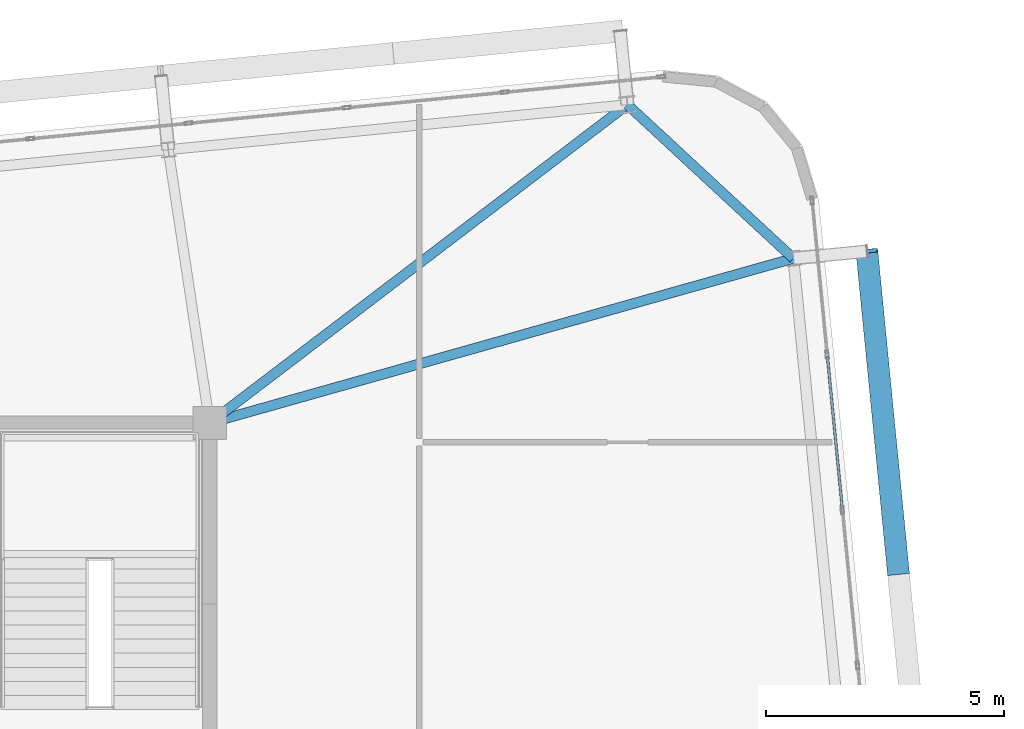
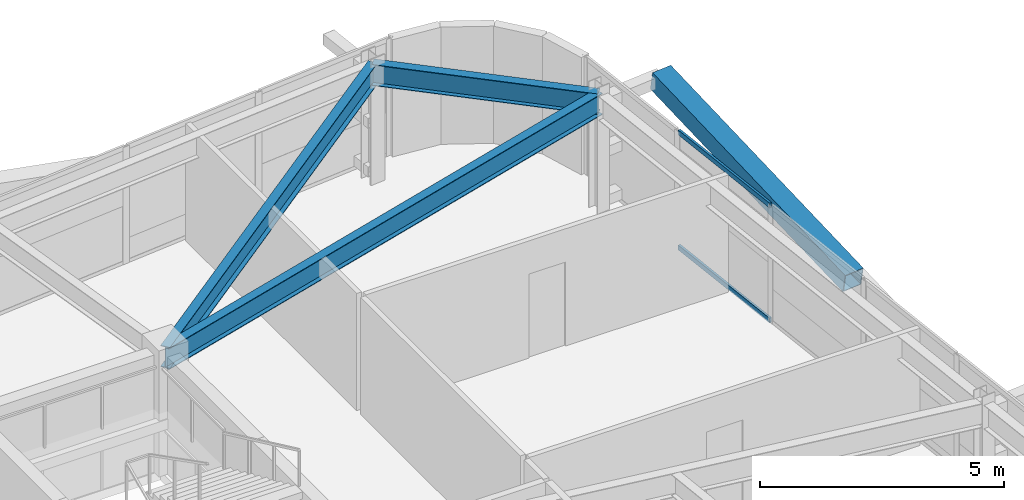
# One storey, part 34 of 52: 3 beams, 3 members, 1 element without a shape of its own.
"""IFC4 building model written with IfcOpenShell, lengths in metres."""

from ifc_helpers import new_model, si_unit, direction, frame, origin, origin_2d, place, context, subcontext, project, spatial, hollow_rectangle, i_section, extrude, source, transform, mapped, material, layer, layer_set, material_profile, profile_set, type_object, element, aggregate, save


model = new_model("IFC4")

# Units and contexts
model_context = context("Model", 3, precision=1e-05, world=origin(), true_north=direction((0.0, 1.0)))
body_context = subcontext(model_context, "Body", "Model", "MODEL_VIEW")
ifc_project = project(units=[si_unit("LENGTHUNIT", "METRE"), si_unit("AREAUNIT", "SQUARE_METRE"), si_unit("VOLUMEUNIT", "CUBIC_METRE"), si_unit("PLANEANGLEUNIT", "RADIAN"), si_unit("MASSUNIT", "GRAM", prefix="KILO")], contexts=[model_context])

# Site, building, storey
site_placement = place(None, origin())
site = spatial("IfcSite", under=ifc_project, at=site_placement, CompositionType="ELEMENT")
building_placement = place(site_placement, origin())
building = spatial("IfcBuilding", under=site, at=building_placement, Name="Taldren Reach Tower", CompositionType="ELEMENT")
storey_placement = place(building_placement, frame((0.0, 0.0, 96.60009765625)))
storey = spatial("IfcBuildingStorey", under=building, at=storey_placement, Name="L29", CompositionType="ELEMENT", Elevation=96.60009765625)

# Beams
ifc_material_1 = material(Name="Steel Gr 350 (350PLUS)", Category="steel")
ifc_material_profile_1 = material_profile(ifc_material_1, i_section(OverallWidth=0.208984375, OverallDepth=0.528076171875, WebThickness=0.009521484375, FlangeThickness=0.01318359375, at=origin_2d()), Name="530UB82.0")
ifc_profile_set_1 = profile_set([ifc_material_profile_1], Name="Steel Gr 350 (350PLUS)")
beam_type_1 = type_object("IfcBeamType", Name="SP-UB530B", PredefinedType="SPANDREL", material=ifc_profile_set_1)
shared_shape_1 = source(origin(), body_context, "Body", "SweptSolid", [
    extrude(i_section(OverallWidth=0.208984375, OverallDepth=0.528076171875, WebThickness=0.009521484375, FlangeThickness=0.01318359375, at=origin_2d()), origin(), (0.0, 0.0, 1.0), 4.74609375),
])
beam_1_placement = place(storey_placement, frame((63.247314453125, 35.454345703125, 2.666015625), z_axis=(-0.733547883762, 0.679637772809, 0.0), x_axis=(-0.679637772809, -0.733547883762, 0.0)))
element("IfcBeam", 1, at=beam_1_placement, inside=storey, type_object=beam_type_1, Name="Perimeter spandrel B2 E3-N6 L29", PredefinedType="SPANDREL", context=body_context, shape_type="MappedRepresentation", body=[
    mapped(shared_shape_1, transform((0.0, 0.0, 0.0), scale=1.0)),
])
ifc_material_profile_2 = material_profile(ifc_material_1, i_section(OverallWidth=0.208984375, OverallDepth=0.532958984375, WebThickness=0.01025390625, FlangeThickness=0.015625, at=origin_2d()), Name="530UB92.4")
ifc_profile_set_2 = profile_set([ifc_material_profile_2], Name="Steel Gr 350 (350PLUS)")
beam_type_2 = type_object("IfcBeamType", Name="BM-UB530A", PredefinedType="BEAM", material=ifc_profile_set_2)
shared_shape_2 = source(origin(), body_context, "Body", "SweptSolid", [
    extrude(i_section(OverallWidth=0.208984375, OverallDepth=0.532958984375, WebThickness=0.01025390625, FlangeThickness=0.015625, at=origin_2d()), origin(), (0.0, 0.0, 1.0), 12.72509765625),
])
beam_2_placement = place(storey_placement, frame((51.0, 32.0, 2.663330078125), z_axis=(0.962450190096, 0.271458342264, 0.0), x_axis=(-0.271458342264, 0.962450190096, 0.0)))
element("IfcBeam", 2, at=beam_2_placement, inside=storey, type_object=beam_type_2, Name="Primary floor girder B2-E3 L29", PredefinedType="BEAM", context=body_context, shape_type="MappedRepresentation", body=[
    mapped(shared_shape_2, transform((0.0, 0.0, 0.0), scale=1.0)),
])
shared_shape_3 = source(origin(), body_context, "Body", "SweptSolid", [
    extrude(i_section(OverallWidth=0.208984375, OverallDepth=0.532958984375, WebThickness=0.01025390625, FlangeThickness=0.015625, at=origin_2d()), origin(), (0.0, 0.0, 1.0), 11.02099609375),
])
beam_3_placement = place(storey_placement, frame((51.0, 32.0, 2.663330078125), z_axis=(0.795380356763, 0.606110623629, 0.0), x_axis=(-0.606110623629, 0.795380356763, 0.0)))
element("IfcBeam", 3, at=beam_3_placement, inside=storey, type_object=beam_type_2, Name="Primary floor girder B2-N6 L29", PredefinedType="BEAM", context=body_context, shape_type="MappedRepresentation", body=[
    mapped(shared_shape_3, transform((0.0, 0.0, 0.0), scale=1.0)),
])

# Member
ifc_material_2 = material(Name="Steel Gr 450 (C450L0)", Category="steel")
ifc_material_profile_3 = material_profile(ifc_material_2, hollow_rectangle(XDim=0.4599609375, YDim=0.4599609375, WallThickness=0.01611328125, at=origin_2d()), Name="460x460x16.0SHS")
ifc_profile_set_3 = profile_set([ifc_material_profile_3], Name="Steel Gr 450 (C450L0)")
member_type_1 = type_object("IfcMemberType", Name="MB-EXO457", PredefinedType="BRACE", material=ifc_profile_set_3)
shared_shape_4 = source(origin(), body_context, "Body", "SweptSolid", [
    extrude(hollow_rectangle(XDim=0.4599609375, YDim=0.4599609375, WallThickness=0.01611328125, at=origin_2d()), origin(), (0.0, 0.0, 1.0), 6.883056640625),
])
member_1_placement = place(storey_placement, frame((65.450927734375, 28.86279296875, 1.434814453125), z_axis=(-0.09605145821, 0.97959718347, 0.176531797456), x_axis=(-0.995227290009, -0.097584021339, 0.0)))
element("IfcMember", 4, at=member_1_placement, inside=storey, type_object=member_type_1, Name="Exoskeleton Diagrid Brace B2-E2 L29", PredefinedType="BRACE", context=body_context, shape_type="MappedRepresentation", body=[
    mapped(shared_shape_4, transform((0.0, 0.0, 0.0), scale=1.0)),
])

# Curtain wall, members
ifc_material_3 = material(Name="Aluminium and Low-E Glass Unitised System", Category="aluminium")
ifc_layer = layer(ifc_material_3, 0.159912109375)
ifc_layer_set = layer_set([ifc_layer], Name="Aluminium and Low-E Glass Unitised System")
curtain_wall_type = type_object("IfcCurtainWallType", Name="CW-SYS-3", PredefinedType="NOTDEFINED", material=ifc_layer_set)
curtain_wall_placement = place(storey_placement, origin())
curtain_wall = element("IfcCurtainWall", 5, at=curtain_wall_placement, inside=storey, type_object=curtain_wall_type, Name="Unitised curtain wall CW-L29-E", PredefinedType="NOTDEFINED")
ifc_material_4 = material(Name="Anodised Aluminium 6063-T6", Category="aluminium")
ifc_material_profile_4 = material_profile(ifc_material_4, hollow_rectangle(XDim=0.054931640625, YDim=0.1201171875, WallThickness=0.0029296875, at=origin_2d()), Name="ALU-120x55x3RHS")
ifc_profile_set_4 = profile_set([ifc_material_profile_4], Name="Anodised Aluminium 6063-T6")
member_type_2 = type_object("IfcMemberType", Name="CW-TRN-135", PredefinedType="USERDEFINED", material=ifc_profile_set_4)
shared_shape_5 = source(origin(), body_context, "Body", "SweptSolid", [
    extrude(hollow_rectangle(XDim=0.054931640625, YDim=0.1201171875, WallThickness=0.0029296875, at=origin_2d()), origin(), (0.0, 0.0, 1.0), 3.212890625),
])
member_2_placement = place(storey_placement, frame((64.274169921875, 30.206298828125, 0.02734375), z_axis=(-0.097569948235, 0.995228669805, 0.0), x_axis=(-0.995228669805, -0.097569948235, 0.0)))
member_2 = element("IfcMember", 6, at=member_2_placement, type_object=member_type_2, Name="CW-3 transom 8.1", ObjectType="TRANSOM", PredefinedType="USERDEFINED", context=body_context, shape_type="MappedRepresentation", body=[
    mapped(shared_shape_5, transform((0.0, 0.0, 0.0), scale=1.0)),
])
member_3_placement = place(storey_placement, frame((64.274169921875, 30.206298828125, 2.90234375), z_axis=(-0.097569948235, 0.995228669805, 0.0), x_axis=(-0.995228669805, -0.097569948235, 0.0)))
member_3 = element("IfcMember", 7, at=member_3_placement, type_object=member_type_2, Name="CW-3 transom 8.2", ObjectType="TRANSOM", PredefinedType="USERDEFINED", context=body_context, shape_type="MappedRepresentation", body=[
    mapped(shared_shape_5, transform((0.0, 0.0, 0.0), scale=1.0)),
])
aggregate(curtain_wall, [member_2, member_3])

save(model, "model.ifc")
